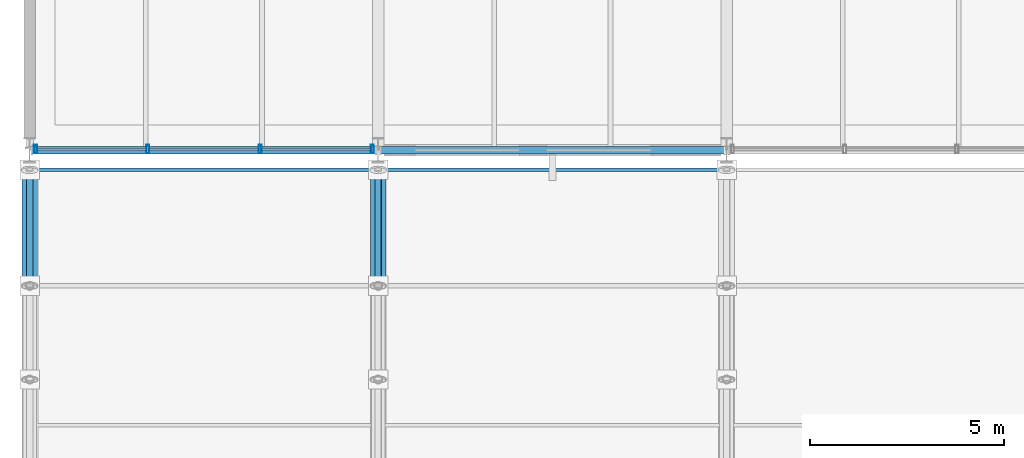
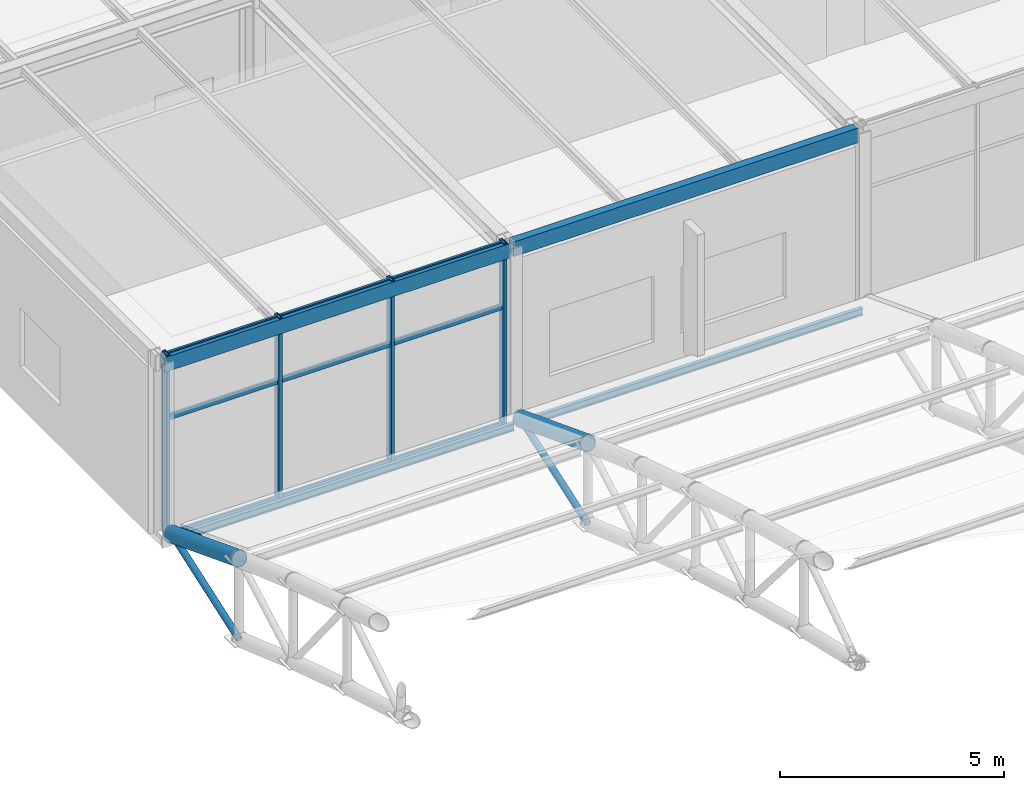
# One storey, part 39 of 195: 19 members, 2 beams, 1 element without a shape of its own.
"""IFC4 building model written with IfcOpenShell, lengths in metres."""

from ifc_helpers import new_model, si_unit, direction, frame, origin, origin_2d, place, context, subcontext, project, spatial, hollow_rectangle, hollow_circle, i_section, extrude, material, layer, layer_set, material_profile, profile_set, type_object, element, aggregate, save


model = new_model("IFC4")

# Units and contexts
model_context = context("Model", 3, precision=1e-05, world=origin(), true_north=direction((0.0, 1.0)))
body_context = subcontext(model_context, "Body", "Model", "MODEL_VIEW")
ifc_project = project(units=[si_unit("LENGTHUNIT", "METRE"), si_unit("AREAUNIT", "SQUARE_METRE"), si_unit("VOLUMEUNIT", "CUBIC_METRE"), si_unit("PLANEANGLEUNIT", "RADIAN"), si_unit("MASSUNIT", "GRAM", prefix="KILO")], contexts=[model_context])

# Site, building, storey
site_placement = place(None, origin())
site = spatial("IfcSite", under=ifc_project, at=site_placement, CompositionType="ELEMENT")
building_placement = place(site_placement, origin())
building = spatial("IfcBuilding", under=site, at=building_placement, Name="Marlcrest Central Station", CompositionType="ELEMENT")
storey_placement = place(building_placement, frame((0.0, 0.0, 9.800048828125)))
storey = spatial("IfcBuildingStorey", under=building, at=storey_placement, Name="L02", CompositionType="ELEMENT", Elevation=9.800048828125)

# Members
ifc_material_1 = material(Name="Steel S355", Category="steel")
ifc_material_profile_1 = material_profile(ifc_material_1, hollow_circle(Radius=0.203125, WallThickness=0.02001953125, at=origin_2d()), Name="CHS 406.4x20")
ifc_profile_set_1 = profile_set([ifc_material_profile_1], Name="Steel S355")
member_type_1 = type_object("IfcMemberType", Name="AC-01", PredefinedType="CHORD", material=ifc_profile_set_1)
for number, where, z_axis, x_axis, name in (
    (1, (0.0, 95.5, 1.599853515625), (0.0, 0.933324071143, -0.359035065453), (-1.0, 0.0, 0.0), "mem-AC-01-L02-00159"),
    (2, (9.0, 95.5, 1.599853515625), (0.0, 0.933324071143, -0.359035065453), (-1.0, 0.0, 0.0), "mem-AC-01-L02-00275"),
):
    element("IfcMember", number, at=place(storey_placement, frame(where, z_axis=z_axis, x_axis=x_axis)), inside=storey, type_object=member_type_1, Name=name, PredefinedType="CHORD", context=body_context, shape_type="SweptSolid", body=[
        extrude(hollow_circle(Radius=0.203125, WallThickness=0.02001953125, at=origin_2d()), origin(), (0.0, 0.0, 1.0), 3.21435546875),
    ])
ifc_material_profile_2 = material_profile(ifc_material_1, hollow_circle(Radius=0.084228515625, WallThickness=0.010009765625, at=origin_2d()), Name="CHS 168.3x10")
ifc_profile_set_2 = profile_set([ifc_material_profile_2], Name="Steel S355")
member_type_2 = type_object("IfcMemberType", Name="AD-01", PredefinedType="BRACE", material=ifc_profile_set_2)
for number, where, z_axis, x_axis, name in (
    (3, (0.0, 95.5, -0.60009765625), (0.0, 0.944260188635, 0.329200085296), (-1.0, 0.0, 0.0), "mem-AD-01-L02-00161"),
    (4, (9.0, 95.5, -0.60009765625), (0.0, 0.944260188635, 0.329200085296), (-1.0, 0.0, 0.0), "mem-AD-01-L02-00277"),
):
    element("IfcMember", number, at=place(storey_placement, frame(where, z_axis=z_axis, x_axis=x_axis)), inside=storey, type_object=member_type_2, Name=name, PredefinedType="BRACE", context=body_context, shape_type="SweptSolid", body=[
        extrude(hollow_circle(Radius=0.084228515625, WallThickness=0.010009765625, at=origin_2d()), origin(), (0.0, 0.0, 1.0), 3.177001953125),
    ])

# Curtain wall, members
ifc_material_2 = material(Name="Anodised aluminium and hurricane laminated glass", Category="aluminium")
ifc_layer = layer(ifc_material_2, 0.219970703125, Name="CW-U1")
ifc_layer_set = layer_set([ifc_layer], Name="Anodised aluminium and hurricane laminated glass")
curtain_wall_type = type_object("IfcCurtainWallType", Name="CW-U1", PredefinedType="USERDEFINED", material=ifc_layer_set)
curtain_wall_placement = place(storey_placement, origin())
curtain_wall = element("IfcCurtainWall", 5, at=curtain_wall_placement, inside=storey, type_object=curtain_wall_type, Name="cw-L02-0159", ObjectType="UNITISED_CURTAIN_WALL", PredefinedType="USERDEFINED")
ifc_material_3 = material(Name="Anodised aluminium 6063-T6", Category="aluminium")
ifc_material_profile_3 = material_profile(ifc_material_3, hollow_rectangle(XDim=0.080078125, YDim=0.219970703125, WallThickness=0.006103515625, at=origin_2d()), Name="AA-RHS 220x80x6")
ifc_profile_set_3 = profile_set([ifc_material_profile_3], Name="Anodised aluminium 6063-T6")
member_type_3 = type_object("IfcMemberType", Name="ML-01", PredefinedType="MULLION", material=ifc_profile_set_3)
member_1_placement = place(storey_placement, frame((8.85009765625, 99.030029296875, -0.030029296875), z_axis=(0.0, 0.0, 1.0), x_axis=(1.0, 0.0, 0.0)))
member_1 = element("IfcMember", 6, at=member_1_placement, type_object=member_type_3, Name="cw-L02-0159-ml-0", PredefinedType="MULLION", context=body_context, shape_type="SweptSolid", body=[
    extrude(hollow_rectangle(XDim=0.080078125, YDim=0.219970703125, WallThickness=0.006103515625, at=origin_2d()), origin(), (0.0, 0.0, 1.0), 5.06005859375),
])
member_2_placement = place(storey_placement, frame((5.949951171875, 99.030029296875, -0.030029296875), z_axis=(0.0, 0.0, 1.0), x_axis=(1.0, 0.0, 0.0)))
member_2 = element("IfcMember", 7, at=member_2_placement, type_object=member_type_3, Name="cw-L02-0159-ml-1", PredefinedType="MULLION", context=body_context, shape_type="SweptSolid", body=[
    extrude(hollow_rectangle(XDim=0.080078125, YDim=0.219970703125, WallThickness=0.006103515625, at=origin_2d()), origin(), (0.0, 0.0, 1.0), 5.06005859375),
])
member_3_placement = place(storey_placement, frame((3.050048828125, 99.030029296875, -0.030029296875), z_axis=(0.0, 0.0, 1.0), x_axis=(1.0, 0.0, 0.0)))
member_3 = element("IfcMember", 8, at=member_3_placement, type_object=member_type_3, Name="cw-L02-0159-ml-2", PredefinedType="MULLION", context=body_context, shape_type="SweptSolid", body=[
    extrude(hollow_rectangle(XDim=0.080078125, YDim=0.219970703125, WallThickness=0.006103515625, at=origin_2d()), origin(), (0.0, 0.0, 1.0), 5.06005859375),
])
member_4_placement = place(storey_placement, frame((0.14990234375, 99.030029296875, -0.030029296875), z_axis=(0.0, 0.0, 1.0), x_axis=(1.0, 0.0, 0.0)))
member_4 = element("IfcMember", 9, at=member_4_placement, type_object=member_type_3, Name="cw-L02-0159-ml-3", PredefinedType="MULLION", context=body_context, shape_type="SweptSolid", body=[
    extrude(hollow_rectangle(XDim=0.080078125, YDim=0.219970703125, WallThickness=0.006103515625, at=origin_2d()), origin(), (0.0, 0.0, 1.0), 5.06005859375),
])

# Members
ifc_material_profile_4 = material_profile(ifc_material_1, i_section(OverallWidth=0.10009765625, OverallDepth=0.199951171875, WebThickness=0.005615234375, FlangeThickness=0.008544921875, FilletRadius=0.011962890625, at=origin_2d()), Name="IPE 200")
ifc_profile_set_4 = profile_set([ifc_material_profile_4], Name="Steel S355")
member_type_4 = type_object("IfcMemberType", Name="PR-01", PredefinedType="PURLIN", material=ifc_profile_set_4)
for number, where, z_axis, x_axis, name in (
    (10, (0.179931640625, 98.5, 0.3056640625), (1.0, 0.0, 0.0), (0.0, 1.0, 0.0), "mem-PR-01-L02-00176"),
    (11, (9.179931640625, 98.5, 0.3056640625), (1.0, 0.0, 0.0), (0.0, 1.0, 0.0), "mem-PR-01-L02-00292"),
):
    element("IfcMember", number, at=place(storey_placement, frame(where, z_axis=z_axis, x_axis=x_axis)), inside=storey, type_object=member_type_4, Name=name, PredefinedType="PURLIN", context=body_context, shape_type="SweptSolid", body=[
        extrude(i_section(OverallWidth=0.10009765625, OverallDepth=0.199951171875, WebThickness=0.005615234375, FlangeThickness=0.008544921875, FilletRadius=0.011962890625, at=origin_2d()), origin(), (0.0, 0.0, 1.0), 8.64013671875),
    ])

# Beams
ifc_material_profile_5 = material_profile(ifc_material_1, hollow_rectangle(XDim=0.199951171875, YDim=0.39990234375, WallThickness=0.01611328125, at=origin_2d()), Name="RHS 400x200x16")
ifc_profile_set_5 = profile_set([ifc_material_profile_5], Name="Steel S355")
beam_type = type_object("IfcBeamType", Name="SP-01", PredefinedType="SPANDREL", material=ifc_profile_set_5)
for number, where, z_axis, x_axis, name in (
    (12, (0.050048828125, 99.0, 4.800048828125), (1.0, 0.0, 0.0), (0.0, 1.0, 0.0), "bm-SP-01-L02-00348"),
    (13, (9.050048828125, 99.0, 4.800048828125), (1.0, 0.0, 0.0), (0.0, 1.0, 0.0), "bm-SP-01-L02-00349"),
):
    element("IfcBeam", number, at=place(storey_placement, frame(where, z_axis=z_axis, x_axis=x_axis)), inside=storey, type_object=beam_type, Name=name, PredefinedType="SPANDREL", context=body_context, shape_type="SweptSolid", body=[
        extrude(hollow_rectangle(XDim=0.199951171875, YDim=0.39990234375, WallThickness=0.01611328125, at=origin_2d()), origin(), (0.0, 0.0, 1.0), 8.89990234375),
    ])

# Member
ifc_material_profile_6 = material_profile(ifc_material_3, hollow_rectangle(XDim=0.06005859375, YDim=0.14990234375, WallThickness=0.00390625, at=origin_2d()), Name="AA-RHS 150x60x4")
ifc_profile_set_6 = profile_set([ifc_material_profile_6], Name="Anodised aluminium 6063-T6")
member_type_5 = type_object("IfcMemberType", Name="TR-01", PredefinedType="USERDEFINED", material=ifc_profile_set_6)
member_5_placement = place(storey_placement, frame((8.81201171875, 99.030029296875, 0.0400390625), z_axis=(-1.0, 0.0, 0.0), x_axis=(0.0, -1.0, 0.0)))
member_5 = element("IfcMember", 14, at=member_5_placement, type_object=member_type_5, Name="cw-L02-0159-tr-0-sill", ObjectType="TRANSOM", PredefinedType="USERDEFINED", context=body_context, shape_type="SweptSolid", body=[
    extrude(hollow_rectangle(XDim=0.06005859375, YDim=0.14990234375, WallThickness=0.00390625, at=origin_2d()), origin(), (0.0, 0.0, 1.0), 2.823974609375),
])

member_6_placement = place(storey_placement, frame((8.81201171875, 99.030029296875, 3.25), z_axis=(-1.0, 0.0, 0.0), x_axis=(0.0, -1.0, 0.0)))
member_6 = element("IfcMember", 15, at=member_6_placement, type_object=member_type_5, Name="cw-L02-0159-tr-0-mid", ObjectType="TRANSOM", PredefinedType="USERDEFINED", context=body_context, shape_type="SweptSolid", body=[
    extrude(hollow_rectangle(XDim=0.06005859375, YDim=0.14990234375, WallThickness=0.00390625, at=origin_2d()), origin(), (0.0, 0.0, 1.0), 2.823974609375),
])

member_7_placement = place(storey_placement, frame((8.81201171875, 99.030029296875, 4.9599609375), z_axis=(-1.0, 0.0, 0.0), x_axis=(0.0, -1.0, 0.0)))
member_7 = element("IfcMember", 16, at=member_7_placement, type_object=member_type_5, Name="cw-L02-0159-tr-0-head", ObjectType="TRANSOM", PredefinedType="USERDEFINED", context=body_context, shape_type="SweptSolid", body=[
    extrude(hollow_rectangle(XDim=0.06005859375, YDim=0.14990234375, WallThickness=0.00390625, at=origin_2d()), origin(), (0.0, 0.0, 1.0), 2.823974609375),
])

member_8_placement = place(storey_placement, frame((5.912109375, 99.030029296875, 0.0400390625), z_axis=(-1.0, 0.0, 0.0), x_axis=(0.0, -1.0, 0.0)))
member_8 = element("IfcMember", 17, at=member_8_placement, type_object=member_type_5, Name="cw-L02-0159-tr-1-sill", ObjectType="TRANSOM", PredefinedType="USERDEFINED", context=body_context, shape_type="SweptSolid", body=[
    extrude(hollow_rectangle(XDim=0.06005859375, YDim=0.14990234375, WallThickness=0.00390625, at=origin_2d()), origin(), (0.0, 0.0, 1.0), 2.82421875),
])

member_9_placement = place(storey_placement, frame((5.912109375, 99.030029296875, 3.25), z_axis=(-1.0, 0.0, 0.0), x_axis=(0.0, -1.0, 0.0)))
member_9 = element("IfcMember", 18, at=member_9_placement, type_object=member_type_5, Name="cw-L02-0159-tr-1-mid", ObjectType="TRANSOM", PredefinedType="USERDEFINED", context=body_context, shape_type="SweptSolid", body=[
    extrude(hollow_rectangle(XDim=0.06005859375, YDim=0.14990234375, WallThickness=0.00390625, at=origin_2d()), origin(), (0.0, 0.0, 1.0), 2.82421875),
])

member_10_placement = place(storey_placement, frame((5.912109375, 99.030029296875, 4.9599609375), z_axis=(-1.0, 0.0, 0.0), x_axis=(0.0, -1.0, 0.0)))
member_10 = element("IfcMember", 19, at=member_10_placement, type_object=member_type_5, Name="cw-L02-0159-tr-1-head", ObjectType="TRANSOM", PredefinedType="USERDEFINED", context=body_context, shape_type="SweptSolid", body=[
    extrude(hollow_rectangle(XDim=0.06005859375, YDim=0.14990234375, WallThickness=0.00390625, at=origin_2d()), origin(), (0.0, 0.0, 1.0), 2.82421875),
])

member_11_placement = place(storey_placement, frame((3.011962890625, 99.030029296875, 0.0400390625), z_axis=(-1.0, 0.0, 0.0), x_axis=(0.0, -1.0, 0.0)))
member_11 = element("IfcMember", 20, at=member_11_placement, type_object=member_type_5, Name="cw-L02-0159-tr-2-sill", ObjectType="TRANSOM", PredefinedType="USERDEFINED", context=body_context, shape_type="SweptSolid", body=[
    extrude(hollow_rectangle(XDim=0.06005859375, YDim=0.14990234375, WallThickness=0.00390625, at=origin_2d()), origin(), (0.0, 0.0, 1.0), 2.823974609375),
])

member_12_placement = place(storey_placement, frame((3.011962890625, 99.030029296875, 3.25), z_axis=(-1.0, 0.0, 0.0), x_axis=(0.0, -1.0, 0.0)))
member_12 = element("IfcMember", 21, at=member_12_placement, type_object=member_type_5, Name="cw-L02-0159-tr-2-mid", ObjectType="TRANSOM", PredefinedType="USERDEFINED", context=body_context, shape_type="SweptSolid", body=[
    extrude(hollow_rectangle(XDim=0.06005859375, YDim=0.14990234375, WallThickness=0.00390625, at=origin_2d()), origin(), (0.0, 0.0, 1.0), 2.823974609375),
])

member_13_placement = place(storey_placement, frame((3.011962890625, 99.030029296875, 4.9599609375), z_axis=(-1.0, 0.0, 0.0), x_axis=(0.0, -1.0, 0.0)))
member_13 = element("IfcMember", 22, at=member_13_placement, type_object=member_type_5, Name="cw-L02-0159-tr-2-head", ObjectType="TRANSOM", PredefinedType="USERDEFINED", context=body_context, shape_type="SweptSolid", body=[
    extrude(hollow_rectangle(XDim=0.06005859375, YDim=0.14990234375, WallThickness=0.00390625, at=origin_2d()), origin(), (0.0, 0.0, 1.0), 2.823974609375),
])

aggregate(curtain_wall, [member_1, member_2, member_3, member_4, member_5, member_6, member_7, member_8, member_9, member_10, member_11, member_12, member_13])

save(model, "model.ifc")
